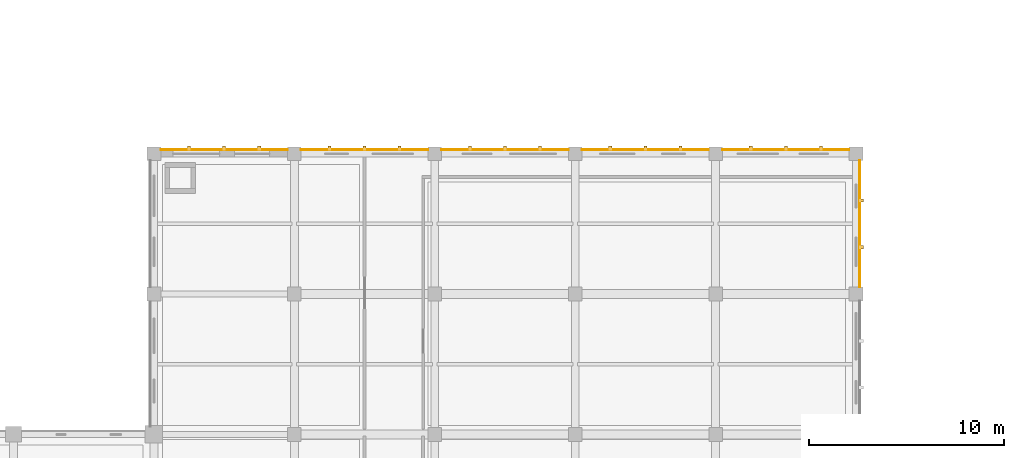
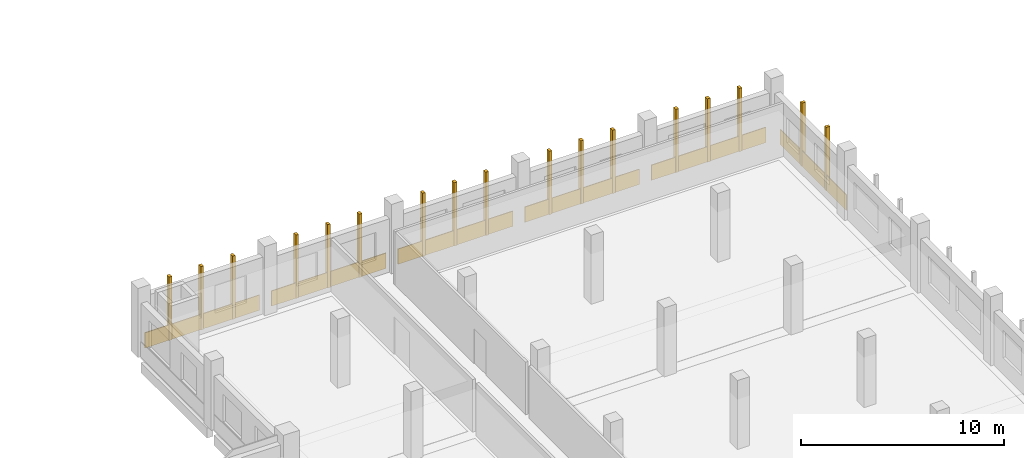
# One storey, part 59 of 62: 17 shading devices, 6 coverings.
"""IFC4 building model written with IfcOpenShell, lengths in metres."""

from ifc_helpers import new_model, si_unit, direction, frame, origin, origin_2d, place, context, subcontext, project, spatial, rectangle, extrude, material, layer, layer_set, type_object, element, save


model = new_model("IFC4")

# Units and contexts
model_context = context("Model", 3, precision=1e-05, world=origin(), true_north=direction((0.0, 1.0)))
body_context = subcontext(model_context, "Body", "Model", "MODEL_VIEW")
ifc_project = project(units=[si_unit("LENGTHUNIT", "METRE"), si_unit("AREAUNIT", "SQUARE_METRE"), si_unit("VOLUMEUNIT", "CUBIC_METRE"), si_unit("PLANEANGLEUNIT", "RADIAN"), si_unit("MASSUNIT", "GRAM", prefix="KILO")], contexts=[model_context])

# Site, building, storey
site_placement = place(None, origin())
site = spatial("IfcSite", under=ifc_project, at=site_placement, CompositionType="ELEMENT")
building_placement = place(site_placement, origin())
building = spatial("IfcBuilding", under=site, at=building_placement, Name="Valkovuoma Quantum and Materials Research Institute", CompositionType="ELEMENT")
storey_placement = place(building_placement, frame((0.0, 0.0, 8.9599609375)))
storey = spatial("IfcBuildingStorey", under=building, at=storey_placement, Name="L02", CompositionType="ELEMENT", Elevation=8.9599609375)

# Coverings
ifc_material_1 = material(Name="Thermally modified Nordic pine timber rainscreen cladding", Category="wood")
ifc_layer_1 = layer(ifc_material_1, 0.044921875)
ifc_layer_set_1 = layer_set([ifc_layer_1], Name="Thermally modified Nordic pine timber rainscreen cladding")
covering_type = type_object("IfcCoveringType", Name="Cov-TIMB-01", PredefinedType="CLADDING", material=ifc_layer_set_1)
for number, where, z_axis, x_axis, name in (
    (1, (18.0, 108.18994140625, 0.02001953125), (0.0, 0.0, 1.0), (1.0, 0.0, 0.0), "L02 Nordic pine spandrel N-025"),
    (2, (25.199951171875, 108.18994140625, 0.02001953125), (0.0, 0.0, 1.0), (1.0, 0.0, 0.0), "L02 Nordic pine spandrel N-026"),
    (3, (32.39990234375, 108.18994140625, 0.02001953125), (0.0, 0.0, 1.0), (1.0, 0.0, 0.0), "L02 Nordic pine spandrel N-027"),
    (4, (39.60009765625, 108.18994140625, 0.02001953125), (0.0, 0.0, 1.0), (1.0, 0.0, 0.0), "L02 Nordic pine spandrel N-028"),
    (5, (46.800048828125, 108.18994140625, 0.02001953125), (0.0, 0.0, 1.0), (1.0, 0.0, 0.0), "L02 Nordic pine spandrel N-029"),
):
    element("IfcCovering", number, at=place(storey_placement, frame(where, z_axis=z_axis, x_axis=x_axis)), inside=storey, type_object=covering_type, Name=name, PredefinedType="CLADDING", context=body_context, shape_type="SweptSolid", body=[
        extrude(rectangle(XDim=6.52001953125, YDim=0.044921875, at=origin_2d()), origin(), (0.0, 0.0, 1.0), 0.919921875),
    ])
covering_placement = place(storey_placement, frame((50.590087890625, 104.39990234375, 0.02001953125), z_axis=(0.0, 0.0, 1.0), x_axis=(1.0, 0.0, 0.0)))
element("IfcCovering", 6, at=covering_placement, inside=storey, type_object=covering_type, Name="L02 Nordic pine spandrel E-035", PredefinedType="CLADDING", context=body_context, shape_type="SweptSolid", body=[
    extrude(rectangle(XDim=0.044921875, YDim=6.52001953125, at=origin_2d()), origin(), (0.0, 0.0, 1.0), 0.919921875),
])

# Shading devices
ifc_material_2 = material(Name="Powder-coated white perforated architectural aluminium panel", Category="aluminium")
ifc_layer_2 = layer(ifc_material_2, 0.050048828125)
ifc_layer_set_2 = layer_set([ifc_layer_2], Name="Powder-coated white perforated architectural aluminium panel")
shading_device_type = type_object("IfcShadingDeviceType", Name="Screen-SCR-MID", PredefinedType="JALOUSIE", material=ifc_layer_set_2)
for number, where, z_axis, x_axis, name in (
    (7, (16.199951171875, 108.27001953125, 0.0), (0.0, 0.0, 1.0), (1.0, 0.0, 0.0), "L02 cleanroom facade vertical fin N-0053"),
    (8, (18.0, 108.27001953125, 0.0), (0.0, 0.0, 1.0), (1.0, 0.0, 0.0), "L02 cleanroom facade vertical fin N-0054"),
    (9, (19.800048828125, 108.27001953125, 0.0), (0.0, 0.0, 1.0), (1.0, 0.0, 0.0), "L02 cleanroom facade vertical fin N-0055"),
    (10, (23.39990234375, 108.27001953125, 0.0), (0.0, 0.0, 1.0), (1.0, 0.0, 0.0), "L02 cleanroom facade vertical fin N-0056"),
    (11, (25.199951171875, 108.27001953125, 0.0), (0.0, 0.0, 1.0), (1.0, 0.0, 0.0), "L02 cleanroom facade vertical fin N-0057"),
    (12, (27.0, 108.27001953125, 0.0), (0.0, 0.0, 1.0), (1.0, 0.0, 0.0), "L02 cleanroom facade vertical fin N-0058"),
    (13, (30.60009765625, 108.27001953125, 0.0), (0.0, 0.0, 1.0), (1.0, 0.0, 0.0), "L02 cleanroom facade vertical fin N-0059"),
    (14, (32.39990234375, 108.27001953125, 0.0), (0.0, 0.0, 1.0), (1.0, 0.0, 0.0), "L02 cleanroom facade vertical fin N-0060"),
    (15, (34.199951171875, 108.27001953125, 0.0), (0.0, 0.0, 1.0), (1.0, 0.0, 0.0), "L02 cleanroom facade vertical fin N-0061"),
    (16, (37.800048828125, 108.27001953125, 0.0), (0.0, 0.0, 1.0), (1.0, 0.0, 0.0), "L02 cleanroom facade vertical fin N-0062"),
    (17, (39.60009765625, 108.27001953125, 0.0), (0.0, 0.0, 1.0), (1.0, 0.0, 0.0), "L02 cleanroom facade vertical fin N-0063"),
    (18, (41.39990234375, 108.27001953125, 0.0), (0.0, 0.0, 1.0), (1.0, 0.0, 0.0), "L02 cleanroom facade vertical fin N-0064"),
    (19, (45.0, 108.27001953125, 0.0), (0.0, 0.0, 1.0), (1.0, 0.0, 0.0), "L02 cleanroom facade vertical fin N-0065"),
    (20, (46.800048828125, 108.27001953125, 0.0), (0.0, 0.0, 1.0), (1.0, 0.0, 0.0), "L02 cleanroom facade vertical fin N-0066"),
    (21, (48.60009765625, 108.27001953125, 0.0), (0.0, 0.0, 1.0), (1.0, 0.0, 0.0), "L02 cleanroom facade vertical fin N-0067"),
):
    element("IfcShadingDevice", number, at=place(storey_placement, frame(where, z_axis=z_axis, x_axis=x_axis)), inside=storey, type_object=shading_device_type, Name=name, PredefinedType="JALOUSIE", context=body_context, shape_type="SweptSolid", body=[
        extrude(rectangle(XDim=0.159912109375, YDim=0.219970703125, at=origin_2d()), origin(), (0.0, 0.0, 1.0), 3.81005859375),
    ])
for number, where, z_axis, x_axis, name in (
    (22, (50.669921875, 103.199951171875, 0.0), (0.0, 0.0, 1.0), (1.0, 0.0, 0.0), "L02 cleanroom facade vertical fin E-0078"),
    (23, (50.669921875, 105.60009765625, 0.0), (0.0, 0.0, 1.0), (1.0, 0.0, 0.0), "L02 cleanroom facade vertical fin E-0079"),
):
    element("IfcShadingDevice", number, at=place(storey_placement, frame(where, z_axis=z_axis, x_axis=x_axis)), inside=storey, type_object=shading_device_type, Name=name, PredefinedType="JALOUSIE", context=body_context, shape_type="SweptSolid", body=[
        extrude(rectangle(XDim=0.219970703125, YDim=0.159912109375, at=origin_2d()), origin(), (0.0, 0.0, 1.0), 3.81005859375),
    ])

save(model, "model.ifc")
